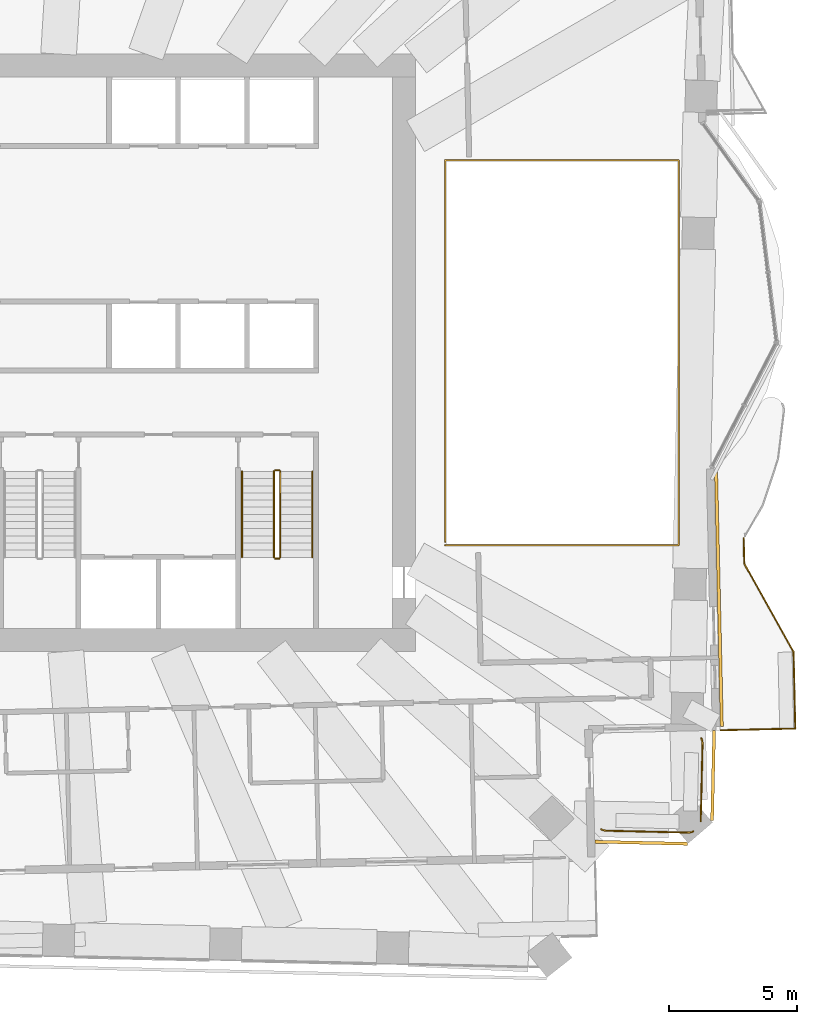
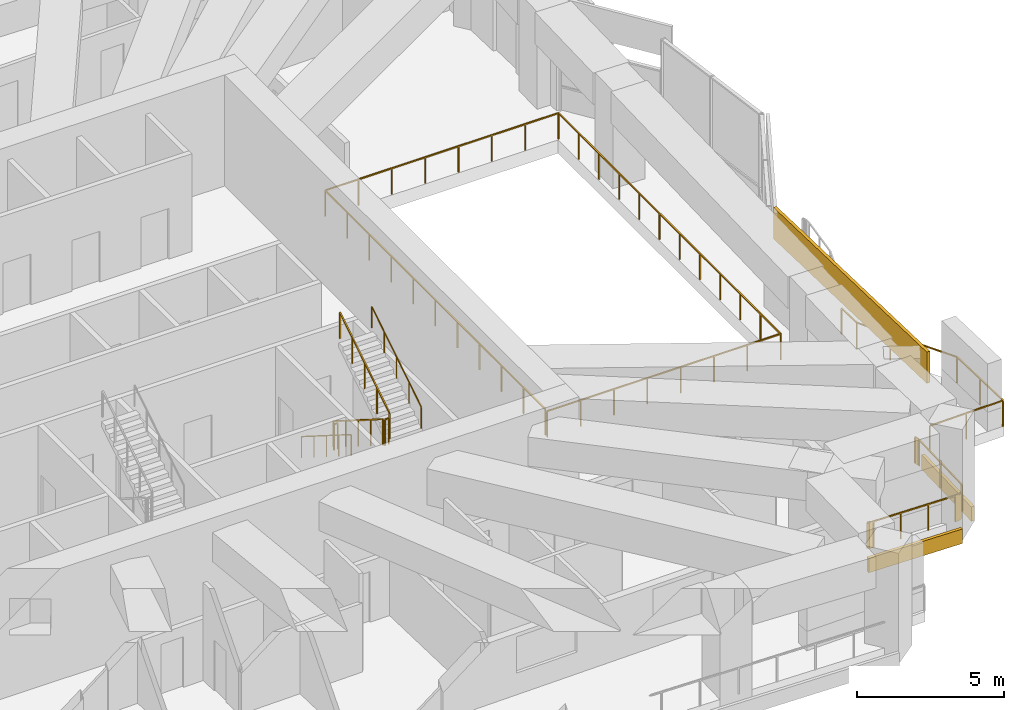
# One storey, part 16 of 17: 10 railings, 3 coverings.
"""IFC4 building model written with IfcOpenShell, lengths in metres."""

from ifc_helpers import new_model, si_unit, direction, frame, frame_2d, origin, origin_2d, place, context, subcontext, project, spatial, rectangle, circle, extrude, material, layer, layer_set, type_object, element, save


model = new_model("IFC4")

# Units and contexts
model_context = context("Model", 3, precision=1e-05, world=origin(), true_north=direction((0.0, 1.0)))
body_context = subcontext(model_context, "Body", "Model", "MODEL_VIEW")
ifc_project = project(units=[si_unit("LENGTHUNIT", "METRE"), si_unit("AREAUNIT", "SQUARE_METRE"), si_unit("VOLUMEUNIT", "CUBIC_METRE"), si_unit("PLANEANGLEUNIT", "RADIAN"), si_unit("MASSUNIT", "GRAM", prefix="KILO")], contexts=[model_context])

# Site, building, storey
site_placement = place(None, origin())
site = spatial("IfcSite", under=ifc_project, at=site_placement, CompositionType="ELEMENT")
building_placement = place(site_placement, origin())
building = spatial("IfcBuilding", under=site, at=building_placement, Name="Mangrove Gate Tower", CompositionType="ELEMENT")
storey_placement = place(building_placement, frame((0.0, 0.0, 170.699951171875)))
storey = spatial("IfcBuildingStorey", under=building, at=storey_placement, Name="L43", CompositionType="ELEMENT", Elevation=170.699951171875)

# Railings
ifc_material_1 = material(Name="Stainless steel grade 316 with laminated glass infill", Category="steel")
railing_type_1 = type_object("IfcRailingType", Name="Balcony guard 1100", PredefinedType="GUARDRAIL", material=ifc_material_1)
railing_1_placement = place(storey_placement, frame((26.658935546875, -14.785888671875, 0.0)))
element("IfcRailing", 1, at=railing_1_placement, inside=storey, type_object=railing_type_1, Name="GUARD L43 E1", PredefinedType="GUARDRAIL", context=body_context, shape_type="SweptSolid", body=[
    extrude(rectangle(XDim=0.048095703125, YDim=0.048095703125, at=origin_2d()), frame((0.0, 0.0, 1.076171875), z_axis=(0.99974356462, 0.022645198192, 0.0), x_axis=(-0.022645198192, 0.99974356462, 0.0)), (0.0, 0.0, 1.0), 2.910888671875),
    extrude(rectangle(XDim=0.048095703125, YDim=0.048095703125, at=origin_2d()), frame((2.91015625, 0.06591796875, 1.076171875), z_axis=(-0.022706615587, 0.999742171567, 0.0), x_axis=(-0.999742171567, -0.022706615587, 0.0)), (0.0, 0.0, 1.0), 2.999755859375),
    extrude(rectangle(XDim=0.048095703125, YDim=0.048095703125, at=origin_2d()), frame((2.842041015625, 3.06494140625, 1.076171875), z_axis=(-0.487155136876, 0.873315448515, 0.0), x_axis=(-0.873315448515, -0.487155136876, 0.0)), (0.0, 0.0, 1.0), 3.959716796875),
    extrude(rectangle(XDim=0.048095703125, YDim=0.048095703125, at=origin_2d()), frame((0.9130859375, 6.52294921875, 1.076171875), z_axis=(-0.022943177842, 0.99973677065, 0.0), x_axis=(-0.99973677065, -0.022943177842, 0.0)), (0.0, 0.0, 1.0), 1.000244140625),
    extrude(rectangle(XDim=0.0419921875, YDim=0.0419921875, at=origin_2d()), origin(), (0.0, 0.0, 1.0), 1.052001953125),
    extrude(rectangle(XDim=0.0419921875, YDim=0.0419921875, at=origin_2d()), frame((1.455078125, 0.032958984375, 0.0)), (0.0, 0.0, 1.0), 1.052001953125),
    extrude(rectangle(XDim=0.0419921875, YDim=0.0419921875, at=origin_2d()), frame((2.91015625, 0.06591796875, 0.0)), (0.0, 0.0, 1.0), 1.052001953125),
    extrude(rectangle(XDim=0.0419921875, YDim=0.0419921875, at=origin_2d()), frame((2.8759765625, 1.5654296875, 0.0)), (0.0, 0.0, 1.0), 1.052001953125),
    extrude(rectangle(XDim=0.0419921875, YDim=0.0419921875, at=origin_2d()), frame((2.842041015625, 3.06494140625, 0.0)), (0.0, 0.0, 1.0), 1.052001953125),
    extrude(rectangle(XDim=0.0419921875, YDim=0.0419921875, at=origin_2d()), frame((2.198974609375, 4.217529296875, 0.0)), (0.0, 0.0, 1.0), 1.052001953125),
    extrude(rectangle(XDim=0.0419921875, YDim=0.0419921875, at=origin_2d()), frame((1.55615234375, 5.370361328125, 0.0)), (0.0, 0.0, 1.0), 1.052001953125),
    extrude(rectangle(XDim=0.0419921875, YDim=0.0419921875, at=origin_2d()), frame((0.9130859375, 6.52294921875, 0.0)), (0.0, 0.0, 1.0), 1.052001953125),
    extrude(rectangle(XDim=0.0419921875, YDim=0.0419921875, at=origin_2d()), frame((0.89013671875, 7.52294921875, 0.0)), (0.0, 0.0, 1.0), 1.052001953125),
])
railing_2_placement = place(storey_placement, frame((15.860107421875, -7.5400390625, 0.0)))
element("IfcRailing", 2, at=railing_2_placement, inside=storey, type_object=railing_type_1, Name="GUARD L43 atrium", PredefinedType="GUARDRAIL", context=body_context, shape_type="SweptSolid", body=[
    extrude(rectangle(XDim=0.048095703125, YDim=0.048095703125, at=origin_2d()), frame((0.0, 0.0, 1.076171875), z_axis=(1.0, 0.0, 0.0), x_axis=(0.0, 1.0, 0.0)), (0.0, 0.0, 1.0), 9.143798828125),
    extrude(rectangle(XDim=0.048095703125, YDim=0.048095703125, at=origin_2d()), frame((9.143798828125, 0.0, 1.076171875), z_axis=(0.0, 1.0, 0.0), x_axis=(-1.0, 0.0, 0.0)), (0.0, 0.0, 1.0), 15.080078125),
    extrude(rectangle(XDim=0.048095703125, YDim=0.048095703125, at=origin_2d()), frame((9.143798828125, 15.080078125, 1.076171875), z_axis=(-1.0, 0.0, 0.0), x_axis=(0.0, -1.0, 0.0)), (0.0, 0.0, 1.0), 9.143798828125),
    extrude(rectangle(XDim=0.048095703125, YDim=0.048095703125, at=origin_2d()), frame((0.0, 15.080078125, 1.076171875), z_axis=(0.0, -1.0, 0.0), x_axis=(1.0, 0.0, 0.0)), (0.0, 0.0, 1.0), 14.9599609375),
    extrude(rectangle(XDim=0.0419921875, YDim=0.0419921875, at=origin_2d()), origin(), (0.0, 0.0, 1.0), 1.052001953125),
    extrude(rectangle(XDim=0.0419921875, YDim=0.0419921875, at=origin_2d()), frame((1.30615234375, 0.0, 0.0)), (0.0, 0.0, 1.0), 1.052001953125),
    extrude(rectangle(XDim=0.0419921875, YDim=0.0419921875, at=origin_2d()), frame((2.612548828125, 0.0, 0.0)), (0.0, 0.0, 1.0), 1.052001953125),
    extrude(rectangle(XDim=0.0419921875, YDim=0.0419921875, at=origin_2d()), frame((3.918701171875, 0.0, 0.0)), (0.0, 0.0, 1.0), 1.052001953125),
    extrude(rectangle(XDim=0.0419921875, YDim=0.0419921875, at=origin_2d()), frame((5.22509765625, 0.0, 0.0)), (0.0, 0.0, 1.0), 1.052001953125),
    extrude(rectangle(XDim=0.0419921875, YDim=0.0419921875, at=origin_2d()), frame((6.53125, 0.0, 0.0)), (0.0, 0.0, 1.0), 1.052001953125),
    extrude(rectangle(XDim=0.0419921875, YDim=0.0419921875, at=origin_2d()), frame((7.837646484375, 0.0, 0.0)), (0.0, 0.0, 1.0), 1.052001953125),
    extrude(rectangle(XDim=0.0419921875, YDim=0.0419921875, at=origin_2d()), frame((9.143798828125, 0.0, 0.0)), (0.0, 0.0, 1.0), 1.052001953125),
    extrude(rectangle(XDim=0.0419921875, YDim=0.0419921875, at=origin_2d()), frame((9.143798828125, 1.370849609375, 0.0)), (0.0, 0.0, 1.0), 1.052001953125),
    extrude(rectangle(XDim=0.0419921875, YDim=0.0419921875, at=origin_2d()), frame((9.143798828125, 2.741943359375, 0.0)), (0.0, 0.0, 1.0), 1.052001953125),
    extrude(rectangle(XDim=0.0419921875, YDim=0.0419921875, at=origin_2d()), frame((9.143798828125, 4.11279296875, 0.0)), (0.0, 0.0, 1.0), 1.052001953125),
    extrude(rectangle(XDim=0.0419921875, YDim=0.0419921875, at=origin_2d()), frame((9.143798828125, 5.483642578125, 0.0)), (0.0, 0.0, 1.0), 1.052001953125),
    extrude(rectangle(XDim=0.0419921875, YDim=0.0419921875, at=origin_2d()), frame((9.143798828125, 6.8544921875, 0.0)), (0.0, 0.0, 1.0), 1.052001953125),
    extrude(rectangle(XDim=0.0419921875, YDim=0.0419921875, at=origin_2d()), frame((9.143798828125, 8.2255859375, 0.0)), (0.0, 0.0, 1.0), 1.052001953125),
    extrude(rectangle(XDim=0.0419921875, YDim=0.0419921875, at=origin_2d()), frame((9.143798828125, 9.596435546875, 0.0)), (0.0, 0.0, 1.0), 1.052001953125),
    extrude(rectangle(XDim=0.0419921875, YDim=0.0419921875, at=origin_2d()), frame((9.143798828125, 10.96728515625, 0.0)), (0.0, 0.0, 1.0), 1.052001953125),
    extrude(rectangle(XDim=0.0419921875, YDim=0.0419921875, at=origin_2d()), frame((9.143798828125, 12.338134765625, 0.0)), (0.0, 0.0, 1.0), 1.052001953125),
    extrude(rectangle(XDim=0.0419921875, YDim=0.0419921875, at=origin_2d()), frame((9.143798828125, 13.709228515625, 0.0)), (0.0, 0.0, 1.0), 1.052001953125),
    extrude(rectangle(XDim=0.0419921875, YDim=0.0419921875, at=origin_2d()), frame((9.143798828125, 15.080078125, 0.0)), (0.0, 0.0, 1.0), 1.052001953125),
    extrude(rectangle(XDim=0.0419921875, YDim=0.0419921875, at=origin_2d()), frame((7.837646484375, 15.080078125, 0.0)), (0.0, 0.0, 1.0), 1.052001953125),
    extrude(rectangle(XDim=0.0419921875, YDim=0.0419921875, at=origin_2d()), frame((6.53125, 15.080078125, 0.0)), (0.0, 0.0, 1.0), 1.052001953125),
    extrude(rectangle(XDim=0.0419921875, YDim=0.0419921875, at=origin_2d()), frame((5.22509765625, 15.080078125, 0.0)), (0.0, 0.0, 1.0), 1.052001953125),
    extrude(rectangle(XDim=0.0419921875, YDim=0.0419921875, at=origin_2d()), frame((3.918701171875, 15.080078125, 0.0)), (0.0, 0.0, 1.0), 1.052001953125),
    extrude(rectangle(XDim=0.0419921875, YDim=0.0419921875, at=origin_2d()), frame((2.612548828125, 15.080078125, 0.0)), (0.0, 0.0, 1.0), 1.052001953125),
    extrude(rectangle(XDim=0.0419921875, YDim=0.0419921875, at=origin_2d()), frame((1.30615234375, 15.080078125, 0.0)), (0.0, 0.0, 1.0), 1.052001953125),
    extrude(rectangle(XDim=0.0419921875, YDim=0.0419921875, at=origin_2d()), frame((0.0, 15.080078125, 0.0)), (0.0, 0.0, 1.0), 1.052001953125),
    extrude(rectangle(XDim=0.0419921875, YDim=0.0419921875, at=origin_2d()), frame((0.0, 13.583984375, 0.0)), (0.0, 0.0, 1.0), 1.052001953125),
    extrude(rectangle(XDim=0.0419921875, YDim=0.0419921875, at=origin_2d()), frame((0.0, 12.088134765625, 0.0)), (0.0, 0.0, 1.0), 1.052001953125),
    extrude(rectangle(XDim=0.0419921875, YDim=0.0419921875, at=origin_2d()), frame((0.0, 10.592041015625, 0.0)), (0.0, 0.0, 1.0), 1.052001953125),
    extrude(rectangle(XDim=0.0419921875, YDim=0.0419921875, at=origin_2d()), frame((0.0, 9.09619140625, 0.0)), (0.0, 0.0, 1.0), 1.052001953125),
    extrude(rectangle(XDim=0.0419921875, YDim=0.0419921875, at=origin_2d()), frame((0.0, 7.60009765625, 0.0)), (0.0, 0.0, 1.0), 1.052001953125),
    extrude(rectangle(XDim=0.0419921875, YDim=0.0419921875, at=origin_2d()), frame((0.0, 6.10400390625, 0.0)), (0.0, 0.0, 1.0), 1.052001953125),
    extrude(rectangle(XDim=0.0419921875, YDim=0.0419921875, at=origin_2d()), frame((0.0, 4.608154296875, 0.0)), (0.0, 0.0, 1.0), 1.052001953125),
    extrude(rectangle(XDim=0.0419921875, YDim=0.0419921875, at=origin_2d()), frame((0.0, 3.112060546875, 0.0)), (0.0, 0.0, 1.0), 1.052001953125),
    extrude(rectangle(XDim=0.0419921875, YDim=0.0419921875, at=origin_2d()), frame((0.0, 1.6162109375, 0.0)), (0.0, 0.0, 1.0), 1.052001953125),
    extrude(rectangle(XDim=0.0419921875, YDim=0.0419921875, at=origin_2d()), frame((0.0, 0.1201171875, 0.0)), (0.0, 0.0, 1.0), 1.052001953125),
])
railing_3_placement = place(storey_placement, frame((25.574951171875, -18.748046875, 0.0)))
element("IfcRailing", 3, at=railing_3_placement, inside=storey, type_object=railing_type_1, Name="GUARD L43 T2.1", PredefinedType="GUARDRAIL", context=body_context, shape_type="SweptSolid", body=[
    extrude(rectangle(XDim=0.048095703125, YDim=0.048095703125, at=origin_2d()), frame((0.0, 0.0, 1.076171875), z_axis=(-0.907708589272, -0.419601140324, 0.0), x_axis=(0.419601140324, -0.907708589272, 0.0)), (0.0, 0.0, 1.0), 0.028564453125),
    extrude(rectangle(XDim=0.048095703125, YDim=0.048095703125, at=origin_2d()), frame((-0.02587890625, -0.011962890625, 1.076171875), z_axis=(-0.951661148857, -0.307149894605, 0.0), x_axis=(0.307149894605, -0.951661148857, 0.0)), (0.0, 0.0, 1.0), 0.048583984375),
    extrude(rectangle(XDim=0.048095703125, YDim=0.048095703125, at=origin_2d()), frame((-0.072021484375, -0.02685546875, 1.076171875), z_axis=(-0.974642013371, -0.223769850009, 0.0), x_axis=(0.223769850009, -0.974642013371, 0.0)), (0.0, 0.0, 1.0), 0.049072265625),
    extrude(rectangle(XDim=0.048095703125, YDim=0.048095703125, at=origin_2d()), frame((-0.119873046875, -0.037841796875, 1.076171875), z_axis=(-0.992353645783, -0.123427070371, 0.0), x_axis=(0.123427070371, -0.992353645783, 0.0)), (0.0, 0.0, 1.0), 0.049560546875),
    extrude(rectangle(XDim=0.048095703125, YDim=0.048095703125, at=origin_2d()), frame((-0.1689453125, -0.0439453125, 1.076171875), z_axis=(-0.999802043895, -0.019896558087, 0.0), x_axis=(0.019896558087, -0.999802043895, 0.0)), (0.0, 0.0, 1.0), 0.049072265625),
    extrude(rectangle(XDim=0.048095703125, YDim=0.048095703125, at=origin_2d()), frame((-0.218017578125, -0.044921875, 1.076171875), z_axis=(-0.999742312045, 0.022700429653, 0.0), x_axis=(-0.022700429653, -0.999742312045, 0.0)), (0.0, 0.0, 1.0), 3.172607421875),
    extrude(rectangle(XDim=0.048095703125, YDim=0.048095703125, at=origin_2d()), frame((-3.389892578125, 0.027099609375, 1.076171875), z_axis=(-0.998149907196, 0.060801009575, 0.0), x_axis=(-0.060801009575, -0.998149907196, 0.0)), (0.0, 0.0, 1.0), 0.048095703125),
    extrude(rectangle(XDim=0.048095703125, YDim=0.048095703125, at=origin_2d()), frame((-3.43798828125, 0.030029296875, 1.076171875), z_axis=(-0.98554889076, 0.169391215599, 0.0), x_axis=(-0.169391215599, -0.98554889076, 0.0)), (0.0, 0.0, 1.0), 0.047607421875),
    extrude(rectangle(XDim=0.048095703125, YDim=0.048095703125, at=origin_2d()), frame((-3.48486328125, 0.0380859375, 1.076171875), z_axis=(-0.967996898166, 0.250962158784, 0.0), x_axis=(-0.250962158784, -0.967996898166, 0.0)), (0.0, 0.0, 1.0), 0.047607421875),
    extrude(rectangle(XDim=0.048095703125, YDim=0.048095703125, at=origin_2d()), frame((-3.531005859375, 0.050048828125, 1.076171875), z_axis=(-0.932004671541, 0.362446261155, 0.0), x_axis=(-0.362446261155, -0.932004671541, 0.0)), (0.0, 0.0, 1.0), 0.047119140625),
    extrude(rectangle(XDim=0.048095703125, YDim=0.048095703125, at=origin_2d()), frame((-3.574951171875, 0.067138671875, 1.076171875), z_axis=(-0.912324305471, 0.40946838907, 0.0), x_axis=(-0.40946838907, -0.912324305471, 0.0)), (0.0, 0.0, 1.0), 0.033935546875),
    extrude(rectangle(XDim=0.0419921875, YDim=0.0419921875, at=origin_2d()), origin(), (0.0, 0.0, 1.0), 1.052001953125),
    extrude(rectangle(XDim=0.0419921875, YDim=0.0419921875, at=origin_2d()), frame((-0.02587890625, -0.011962890625, 0.0)), (0.0, 0.0, 1.0), 1.052001953125),
    extrude(rectangle(XDim=0.0419921875, YDim=0.0419921875, at=origin_2d()), frame((-0.072021484375, -0.02685546875, 0.0)), (0.0, 0.0, 1.0), 1.052001953125),
    extrude(rectangle(XDim=0.0419921875, YDim=0.0419921875, at=origin_2d()), frame((-0.119873046875, -0.037841796875, 0.0)), (0.0, 0.0, 1.0), 1.052001953125),
    extrude(rectangle(XDim=0.0419921875, YDim=0.0419921875, at=origin_2d()), frame((-0.1689453125, -0.0439453125, 0.0)), (0.0, 0.0, 1.0), 1.052001953125),
    extrude(rectangle(XDim=0.0419921875, YDim=0.0419921875, at=origin_2d()), frame((-0.218017578125, -0.044921875, 0.0)), (0.0, 0.0, 1.0), 1.052001953125),
    extrude(rectangle(XDim=0.0419921875, YDim=0.0419921875, at=origin_2d()), frame((-1.275390625, -0.02099609375, 0.0)), (0.0, 0.0, 1.0), 1.052001953125),
    extrude(rectangle(XDim=0.0419921875, YDim=0.0419921875, at=origin_2d()), frame((-2.33251953125, 0.003173828125, 0.0)), (0.0, 0.0, 1.0), 1.052001953125),
    extrude(rectangle(XDim=0.0419921875, YDim=0.0419921875, at=origin_2d()), frame((-3.389892578125, 0.027099609375, 0.0)), (0.0, 0.0, 1.0), 1.052001953125),
    extrude(rectangle(XDim=0.0419921875, YDim=0.0419921875, at=origin_2d()), frame((-3.43798828125, 0.030029296875, 0.0)), (0.0, 0.0, 1.0), 1.052001953125),
    extrude(rectangle(XDim=0.0419921875, YDim=0.0419921875, at=origin_2d()), frame((-3.48486328125, 0.0380859375, 0.0)), (0.0, 0.0, 1.0), 1.052001953125),
    extrude(rectangle(XDim=0.0419921875, YDim=0.0419921875, at=origin_2d()), frame((-3.531005859375, 0.050048828125, 0.0)), (0.0, 0.0, 1.0), 1.052001953125),
    extrude(rectangle(XDim=0.0419921875, YDim=0.0419921875, at=origin_2d()), frame((-3.574951171875, 0.067138671875, 0.0)), (0.0, 0.0, 1.0), 1.052001953125),
    extrude(rectangle(XDim=0.0419921875, YDim=0.0419921875, at=origin_2d()), frame((-3.60595703125, 0.0810546875, 0.0)), (0.0, 0.0, 1.0), 1.052001953125),
])
railing_4_placement = place(storey_placement, frame((25.89111328125, -15.10693359375, 0.0)))
element("IfcRailing", 4, at=railing_4_placement, inside=storey, type_object=railing_type_1, Name="GUARD L43 T2.2", PredefinedType="GUARDRAIL", context=body_context, shape_type="SweptSolid", body=[
    extrude(rectangle(XDim=0.048095703125, YDim=0.048095703125, at=origin_2d()), frame((0.0, 0.0, 1.076171875), z_axis=(0.401990062035, -0.915644030191, 0.0), x_axis=(0.915644030191, 0.401990062035, 0.0)), (0.0, 0.0, 1.0), 0.02197265625),
    extrude(rectangle(XDim=0.048095703125, YDim=0.048095703125, at=origin_2d()), frame((0.0087890625, -0.02001953125, 1.076171875), z_axis=(0.334820934911, -0.942281773964, 0.0), x_axis=(0.942281773964, 0.334820934911, 0.0)), (0.0, 0.0, 1.0), 0.051025390625),
    extrude(rectangle(XDim=0.048095703125, YDim=0.048095703125, at=origin_2d()), frame((0.02587890625, -0.068115234375, 1.076171875), z_axis=(0.218472344851, -0.975843140333, 0.0), x_axis=(0.975843140333, 0.218472344851, 0.0)), (0.0, 0.0, 1.0), 0.05029296875),
    extrude(rectangle(XDim=0.048095703125, YDim=0.048095703125, at=origin_2d()), frame((0.036865234375, -0.1171875, 1.076171875), z_axis=(0.140741879372, -0.990046323861, 0.0), x_axis=(0.990046323861, 0.140741879372, 0.0)), (0.0, 0.0, 1.0), 0.05029296875),
    extrude(rectangle(XDim=0.048095703125, YDim=0.048095703125, at=origin_2d()), frame((0.0439453125, -0.1669921875, 1.076171875), z_axis=(0.019135251757, -0.999816904308, 0.0), x_axis=(0.999816904308, 0.019135251757, 0.0)), (0.0, 0.0, 1.0), 0.051025390625),
    extrude(rectangle(XDim=0.048095703125, YDim=0.048095703125, at=origin_2d()), frame((0.044921875, -0.218017578125, 1.076171875), z_axis=(-0.022851642137, -0.999738867131, 0.0), x_axis=(0.999738867131, -0.022851642137, 0.0)), (0.0, 0.0, 1.0), 2.980712890625),
    extrude(rectangle(XDim=0.048095703125, YDim=0.048095703125, at=origin_2d()), frame((-0.023193359375, -3.197998046875, 1.076171875), z_axis=(-0.059595380047, -0.998222615791, 0.0), x_axis=(0.998222615791, -0.059595380047, 0.0)), (0.0, 0.0, 1.0), 0.049072265625),
    extrude(rectangle(XDim=0.0419921875, YDim=0.0419921875, at=origin_2d()), origin(), (0.0, 0.0, 1.0), 1.052001953125),
    extrude(rectangle(XDim=0.0419921875, YDim=0.0419921875, at=origin_2d()), frame((0.0087890625, -0.02001953125, 0.0)), (0.0, 0.0, 1.0), 1.052001953125),
    extrude(rectangle(XDim=0.0419921875, YDim=0.0419921875, at=origin_2d()), frame((0.02587890625, -0.068115234375, 0.0)), (0.0, 0.0, 1.0), 1.052001953125),
    extrude(rectangle(XDim=0.0419921875, YDim=0.0419921875, at=origin_2d()), frame((0.036865234375, -0.1171875, 0.0)), (0.0, 0.0, 1.0), 1.052001953125),
    extrude(rectangle(XDim=0.0419921875, YDim=0.0419921875, at=origin_2d()), frame((0.0439453125, -0.1669921875, 0.0)), (0.0, 0.0, 1.0), 1.052001953125),
    extrude(rectangle(XDim=0.0419921875, YDim=0.0419921875, at=origin_2d()), frame((0.044921875, -0.218017578125, 0.0)), (0.0, 0.0, 1.0), 1.052001953125),
    extrude(rectangle(XDim=0.0419921875, YDim=0.0419921875, at=origin_2d()), frame((0.0107421875, -1.7080078125, 0.0)), (0.0, 0.0, 1.0), 1.052001953125),
    extrude(rectangle(XDim=0.0419921875, YDim=0.0419921875, at=origin_2d()), frame((-0.023193359375, -3.197998046875, 0.0)), (0.0, 0.0, 1.0), 1.052001953125),
    extrude(rectangle(XDim=0.0419921875, YDim=0.0419921875, at=origin_2d()), frame((-0.026123046875, -3.2470703125, 0.0)), (0.0, 0.0, 1.0), 1.052001953125),
])
ifc_material_2 = material(Name="Stainless steel 316", Category="steel")
railing_type_2 = type_object("IfcRailingType", Name="Core stair guard 1100", PredefinedType="GUARDRAIL", material=ifc_material_2)
railing_5_placement = place(storey_placement, frame((9.14990234375, -4.64990234375, 0.177001953125)))
element("IfcRailing", 5, at=railing_5_placement, inside=storey, type_object=railing_type_2, Name="L43 ST3 stair guard 1", PredefinedType="GUARDRAIL", context=body_context, shape_type="SweptSolid", body=[
    extrude(rectangle(XDim=0.048095703125, YDim=0.048095703125, at=origin_2d()), frame((0.0, 0.0, 1.076171875), z_axis=(0.0, -0.845389635667, 0.534150132366), x_axis=(1.0, 0.0, 0.0)), (0.0, 0.0, 1.0), 3.974609375),
    extrude(rectangle(XDim=0.0419921875, YDim=0.0419921875, at=origin_2d()), origin(), (0.0, 0.0, 1.0), 1.052001953125),
    extrude(rectangle(XDim=0.0419921875, YDim=0.0419921875, at=origin_2d()), frame((0.0, -0.840087890625, 0.53076171875)), (0.0, 0.0, 1.0), 1.052001953125),
    extrude(rectangle(XDim=0.0419921875, YDim=0.0419921875, at=origin_2d()), frame((0.0, -1.68017578125, 1.0615234375)), (0.0, 0.0, 1.0), 1.052001953125),
    extrude(rectangle(XDim=0.0419921875, YDim=0.0419921875, at=origin_2d()), frame((0.0, -2.52001953125, 1.59228515625)), (0.0, 0.0, 1.0), 1.052001953125),
    extrude(rectangle(XDim=0.0419921875, YDim=0.0419921875, at=origin_2d()), frame((0.0, -3.360107421875, 2.123046875)), (0.0, 0.0, 1.0), 1.052001953125),
])
railing_6_placement = place(storey_placement, frame((9.199951171875, -8.06005859375, 2.300048828125)))
element("IfcRailing", 6, at=railing_6_placement, inside=storey, type_object=railing_type_2, Name="L43 ST3 stair guard 2", PredefinedType="GUARDRAIL", context=body_context, shape_type="SweptSolid", body=[
    extrude(rectangle(XDim=0.048095703125, YDim=0.048095703125, at=origin_2d()), frame((0.0, 0.0, 1.076171875), z_axis=(1.0, 0.0, 0.0), x_axis=(0.0, 1.0, 0.0)), (0.0, 0.0, 1.0), 0.150146484375),
    extrude(rectangle(XDim=0.0419921875, YDim=0.0419921875, at=origin_2d()), origin(), (0.0, 0.0, 1.0), 1.052001953125),
    extrude(rectangle(XDim=0.0419921875, YDim=0.0419921875, at=origin_2d()), frame((0.150146484375, 0.0, 0.0)), (0.0, 0.0, 1.0), 1.052001953125),
])
railing_7_placement = place(storey_placement, frame((9.39990234375, -8.010009765625, 2.47705078125)))
element("IfcRailing", 7, at=railing_7_placement, inside=storey, type_object=railing_type_2, Name="L43 ST3 stair guard 3", PredefinedType="GUARDRAIL", context=body_context, shape_type="SweptSolid", body=[
    extrude(rectangle(XDim=0.048095703125, YDim=0.048095703125, at=origin_2d()), frame((0.0, 0.0, 1.076171875), z_axis=(0.0, 0.845389635667, 0.534150132366), x_axis=(-1.0, 0.0, 0.0)), (0.0, 0.0, 1.0), 3.974609375),
    extrude(rectangle(XDim=0.0419921875, YDim=0.0419921875, at=origin_2d()), origin(), (0.0, 0.0, 1.0), 1.052001953125),
    extrude(rectangle(XDim=0.0419921875, YDim=0.0419921875, at=origin_2d()), frame((0.0, 0.840087890625, 0.53076171875)), (0.0, 0.0, 1.0), 1.052001953125),
    extrude(rectangle(XDim=0.0419921875, YDim=0.0419921875, at=origin_2d()), frame((0.0, 1.68017578125, 1.0615234375)), (0.0, 0.0, 1.0), 1.052001953125),
    extrude(rectangle(XDim=0.0419921875, YDim=0.0419921875, at=origin_2d()), frame((0.0, 2.52001953125, 1.59228515625)), (0.0, 0.0, 1.0), 1.052001953125),
    extrude(rectangle(XDim=0.0419921875, YDim=0.0419921875, at=origin_2d()), frame((0.0, 3.360107421875, 2.123046875)), (0.0, 0.0, 1.0), 1.052001953125),
])
railing_8_placement = place(storey_placement, frame((9.199951171875, -4.60009765625, 0.0)))
element("IfcRailing", 8, at=railing_8_placement, inside=storey, type_object=railing_type_2, Name="L43 ST3 stair guard 4", PredefinedType="GUARDRAIL", context=body_context, shape_type="SweptSolid", body=[
    extrude(rectangle(XDim=0.048095703125, YDim=0.048095703125, at=origin_2d()), frame((0.0, 0.0, 1.076171875), z_axis=(1.0, 0.0, 0.0), x_axis=(0.0, 1.0, 0.0)), (0.0, 0.0, 1.0), 0.150146484375),
    extrude(rectangle(XDim=0.0419921875, YDim=0.0419921875, at=origin_2d()), origin(), (0.0, 0.0, 1.0), 1.052001953125),
    extrude(rectangle(XDim=0.0419921875, YDim=0.0419921875, at=origin_2d()), frame((0.150146484375, 0.0, 0.0)), (0.0, 0.0, 1.0), 1.052001953125),
])
ifc_material_3 = material(Name="Stainless steel 316", Category="steel")
railing_type_3 = type_object("IfcRailingType", Name="Core stair handrail 900", PredefinedType="HANDRAIL", material=ifc_material_3)
railing_9_placement = place(storey_placement, frame((7.89990234375, -4.64990234375, 0.177001953125)))
element("IfcRailing", 9, at=railing_9_placement, inside=storey, type_object=railing_type_3, Name="L43 ST3 stair handrail 1", PredefinedType="HANDRAIL", context=body_context, shape_type="SweptSolid", body=[
    extrude(circle(Radius=0.02392578125, at=origin_2d()), frame((0.0, 0.0, 0.8759765625), z_axis=(0.0, -0.845389635667, 0.534150132366), x_axis=(1.0, 0.0, 0.0)), (0.0, 0.0, 1.0), 3.974609375),
    extrude(circle(Radius=0.02099609375, at=origin_2d()), origin(), (0.0, 0.0, 1.0), 0.851806640625),
    extrude(circle(Radius=0.02099609375, at=origin_2d()), frame((0.0, -0.840087890625, 0.53076171875)), (0.0, 0.0, 1.0), 0.851806640625),
    extrude(circle(Radius=0.02099609375, at=origin_2d()), frame((0.0, -1.68017578125, 1.0615234375)), (0.0, 0.0, 1.0), 0.851806640625),
    extrude(circle(Radius=0.02099609375, at=origin_2d()), frame((0.0, -2.52001953125, 1.59228515625)), (0.0, 0.0, 1.0), 0.851806640625),
    extrude(circle(Radius=0.02099609375, at=origin_2d()), frame((0.0, -3.360107421875, 2.123046875)), (0.0, 0.0, 1.0), 0.851806640625),
])
railing_10_placement = place(storey_placement, frame((10.64990234375, -8.010009765625, 2.47705078125)))
element("IfcRailing", 10, at=railing_10_placement, inside=storey, type_object=railing_type_3, Name="L43 ST3 stair handrail 2", PredefinedType="HANDRAIL", context=body_context, shape_type="SweptSolid", body=[
    extrude(circle(Radius=0.02392578125, at=origin_2d()), frame((0.0, 0.0, 0.8759765625), z_axis=(0.0, 0.845389635667, 0.534150132366), x_axis=(-1.0, 0.0, 0.0)), (0.0, 0.0, 1.0), 3.974609375),
    extrude(circle(Radius=0.02099609375, at=origin_2d()), origin(), (0.0, 0.0, 1.0), 0.851806640625),
    extrude(circle(Radius=0.02099609375, at=origin_2d()), frame((0.0, 0.840087890625, 0.53076171875)), (0.0, 0.0, 1.0), 0.851806640625),
    extrude(circle(Radius=0.02099609375, at=origin_2d()), frame((0.0, 1.68017578125, 1.0615234375)), (0.0, 0.0, 1.0), 0.851806640625),
    extrude(circle(Radius=0.02099609375, at=origin_2d()), frame((0.0, 2.52001953125, 1.59228515625)), (0.0, 0.0, 1.0), 0.851806640625),
    extrude(circle(Radius=0.02099609375, at=origin_2d()), frame((0.0, 3.360107421875, 2.123046875)), (0.0, 0.0, 1.0), 0.851806640625),
])

# Coverings
ifc_material_4 = material(Name="Limestone", Category="masonry")
ifc_layer_1 = layer(ifc_material_4, 0.0400390625, Name="Limestone cladding")
ifc_material_5 = material(Name="Stainless steel anchors and cavity", Category="steel")
ifc_layer_2 = layer(ifc_material_5, 0.080078125, Name="Fixing cavity")
ifc_layer_set = layer_set([ifc_layer_1, ifc_layer_2], Name="Joint fascia cladding 120")
covering_type = type_object("IfcCoveringType", Name="Joint fascia cladding 120", PredefinedType="CLADDING", material=ifc_layer_set)
covering_1_placement = place(storey_placement, frame((26.693115234375, -14.635009765625, 2.75), z_axis=(0.0, 0.0, 1.0), x_axis=(-0.02263791163, 0.999743729641, 0.0)))
element("IfcCovering", 11, at=covering_1_placement, inside=storey, type_object=covering_type, Name="STONE FASCIA L43 E0.1", PredefinedType="CLADDING", context=body_context, shape_type="SweptSolid", body=[
    extrude(rectangle(XDim=10.02978515625, YDim=0.1201171875, at=frame_2d((5.014892578125, 0.0))), origin(), (0.0, 0.0, 1.0), 1.300048828125),
])
covering_2_placement = place(storey_placement, frame((25.346923828125, -19.23291015625, -0.599853515625), z_axis=(0.0, 0.0, 1.0), x_axis=(-0.999742842017, 0.022677077321, 0.0)))
element("IfcCovering", 12, at=covering_2_placement, inside=storey, type_object=covering_type, Name="STONE FASCIA L43 TB52-1.1", PredefinedType="CLADDING", context=body_context, shape_type="SweptSolid", body=[
    extrude(rectangle(XDim=3.628173828125, YDim=0.1201171875, at=frame_2d((1.81396484375, 0.0))), origin(), (0.0, 0.0, 1.0), 0.599853515625),
])
covering_3_placement = place(storey_placement, frame((26.392333984375, -14.79443359375, -0.599853515625), z_axis=(0.0, 0.0, 1.0), x_axis=(-0.022809598001, -0.999739827275, 0.0)))
element("IfcCovering", 13, at=covering_3_placement, inside=storey, type_object=covering_type, Name="STONE FASCIA L43 TB52-2.1", PredefinedType="CLADDING", context=body_context, shape_type="SweptSolid", body=[
    extrude(rectangle(XDim=3.521484375, YDim=0.1201171875, at=frame_2d((1.7607421875, 0.0))), origin(), (0.0, 0.0, 1.0), 0.599853515625),
])

save(model, "model.ifc")
